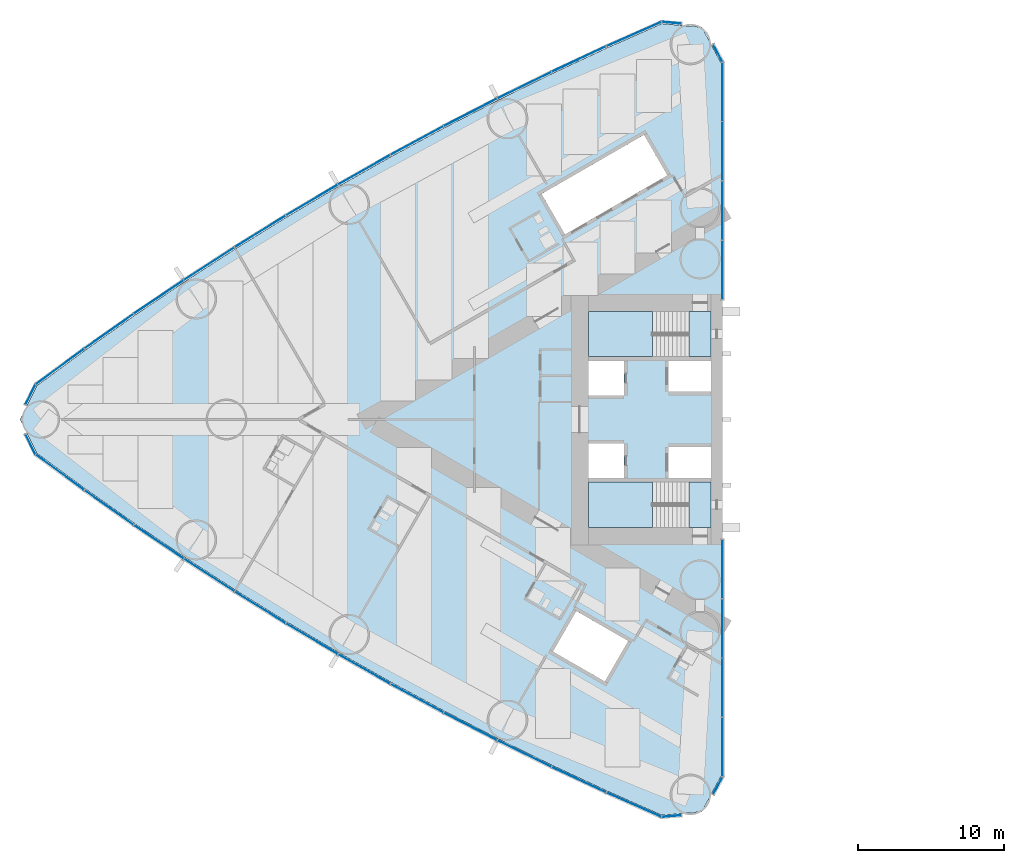
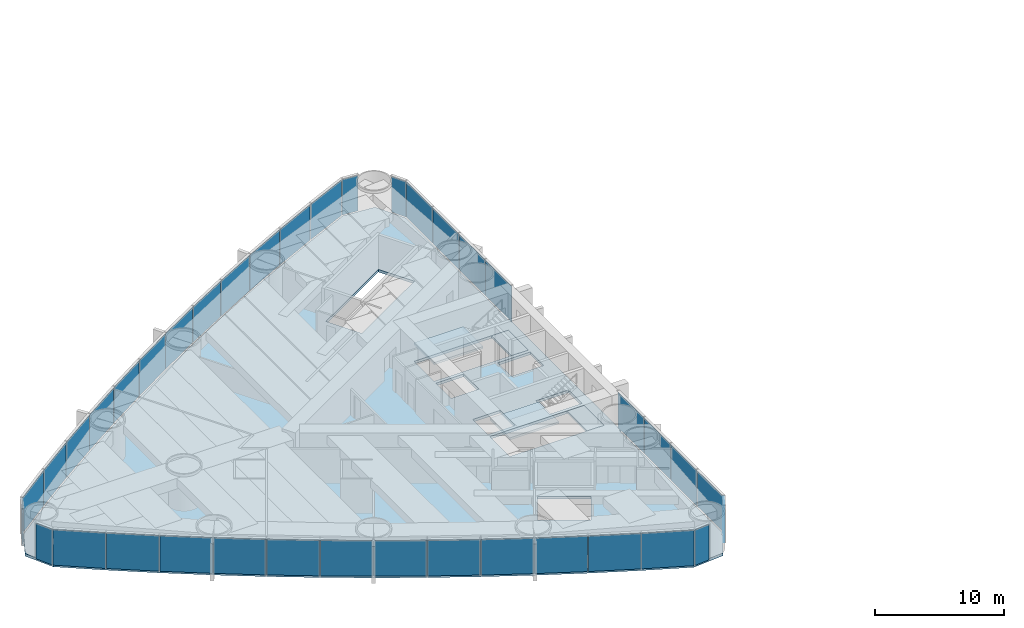
# One storey, part 9 of 19: 38 plates, 5 slabs, 6 elements without a shape of their own.
"""IFC4 building model written with IfcOpenShell, lengths in metres."""

from ifc_helpers import new_model, si_unit, direction, frame, origin, origin_2d, place, context, subcontext, project, spatial, polyline, rectangle, outline, extrude, material, layer, layer_set, type_object, element, aggregate, save


model = new_model("IFC4")

# Units and contexts
model_context = context("Model", 3, precision=1e-05, world=origin(), true_north=direction((0.0, 1.0)))
body_context = subcontext(model_context, "Body", "Model", "MODEL_VIEW")
ifc_project = project(units=[si_unit("LENGTHUNIT", "METRE"), si_unit("AREAUNIT", "SQUARE_METRE"), si_unit("VOLUMEUNIT", "CUBIC_METRE"), si_unit("PLANEANGLEUNIT", "RADIAN"), si_unit("MASSUNIT", "GRAM", prefix="KILO")], contexts=[model_context])

# Site, building, storey
site_placement = place(None, origin())
site = spatial("IfcSite", under=ifc_project, at=site_placement, CompositionType="ELEMENT")
building_placement = place(site_placement, origin())
building = spatial("IfcBuilding", under=site, at=building_placement, Name="Lancet Gate Hotel", CompositionType="ELEMENT")
storey_placement = place(building_placement, frame((0.0, 0.0, 70.5)))
storey = spatial("IfcBuildingStorey", under=building, at=storey_placement, Name="L18", CompositionType="ELEMENT", Elevation=70.5)

# Slab
ifc_material_1 = material(Name="Concrete C50/60", Category="concrete")
ifc_layer_1 = layer(ifc_material_1, 0.25)
ifc_layer_set_1 = layer_set([ifc_layer_1], Name="Floor slab 250")
slab_type_1 = type_object("IfcSlabType", Name="Floor slab 250", PredefinedType="FLOOR", material=ifc_layer_set_1)
slab_1_placement = place(storey_placement, frame((0.0, 0.0, -0.25)))
element("IfcSlab", 1, at=slab_1_placement, inside=storey, type_object=slab_type_1, Name="T1 L18 floor slab", PredefinedType="FLOOR", context=body_context, shape_type="SweptSolid", body=[
    extrude(outline(polyline([(-27.5, 8.60009765625), (-27.6201171875, 8.60009765625), (-27.6201171875, 24.4609375), (-28.926513671875, 26.8837890625), (-31.668212890625, 27.12353515625), (-35.424072265625, 25.458740234375), (-39.173583984375, 23.70849609375), (-42.887939453125, 21.884765625), (-46.56591796875, 19.98876953125), (-50.2060546875, 18.02099609375), (-53.806884765625, 15.982421875), (-57.366943359375, 13.87353515625), (-60.88525390625, 11.695068359375), (-64.360107421875, 9.448486328125), (-67.7900390625, 7.134033203125), (-71.17431640625, 4.752685546875), (-74.488525390625, 2.322021484375), (-75.65087890625, 0.0), (-74.488525390625, -2.322021484375), (-71.17431640625, -4.752685546875), (-67.7900390625, -7.134033203125), (-64.360107421875, -9.448486328125), (-60.88525390625, -11.695068359375), (-57.366943359375, -13.87353515625), (-53.806884765625, -15.982421875), (-50.2060546875, -18.02099609375), (-46.56591796875, -19.98876953125), (-42.887939453125, -21.884765625), (-39.173583984375, -23.70849609375), (-35.424072265625, -25.458740234375), (-31.668212890625, -27.12353515625), (-28.926513671875, -26.8837890625), (-27.6201171875, -24.4609375), (-27.6201171875, -8.60009765625), (-27.5, -8.60009765625), (-27.5, -8.199951171875), (-27.5, 8.199951171875), (-27.5, 8.60009765625)]), holes=[polyline([(-36.699951171875, 7.39990234375), (-36.699951171875, 4.300048828125), (-28.300048828125, 4.300048828125), (-28.300048828125, 7.39990234375), (-36.699951171875, 7.39990234375)]), polyline([(-28.300048828125, 4.0), (-31.199951171875, 4.0), (-31.199951171875, 1.89990234375), (-28.300048828125, 1.89990234375), (-28.300048828125, 4.0)]), polyline([(-34.25, 4.0), (-36.699951171875, 4.0), (-36.699951171875, 1.64990234375), (-34.25, 1.64990234375), (-34.25, 4.0)]), polyline([(-36.699951171875, -1.64990234375), (-36.699951171875, -4.0), (-34.25, -4.0), (-34.25, -1.64990234375), (-36.699951171875, -1.64990234375)]), polyline([(-28.300048828125, -1.89990234375), (-31.199951171875, -1.89990234375), (-31.199951171875, -4.0), (-28.300048828125, -4.0), (-28.300048828125, -1.89990234375)]), polyline([(-28.300048828125, -4.300048828125), (-36.699951171875, -4.300048828125), (-36.699951171875, -7.39990234375), (-28.300048828125, -7.39990234375), (-28.300048828125, -4.300048828125)]), polyline([(-31.2900390625, 16.73095703125), (-32.889892578125, 19.501953125), (-39.904052734375, 15.451904296875), (-38.303955078125, 12.680908203125), (-31.2900390625, 16.73095703125)]), polyline([(-33.97412109375, -15.180908203125), (-37.52490234375, -13.131103515625), (-39.125, -15.902099609375), (-35.573974609375, -17.951904296875), (-33.97412109375, -15.180908203125)])]), origin(), (0.0, 0.0, 1.0), 0.25),
])

# Stair, slabs
ifc_material_2 = material(Name="Exit stair 20 risers 1500")
stair_type = type_object("IfcStairType", Name="Exit stair 20 risers 1500", PredefinedType="HALF_TURN_STAIR", material=ifc_material_2)
stair_1_placement = place(storey_placement, origin())
stair_1 = element("IfcStair", 2, at=stair_1_placement, inside=storey, type_object=stair_type, Name="T1 stair 1 L18", PredefinedType="HALF_TURN_STAIR")
ifc_material_3 = material(Name="Concrete C40/50", Category="concrete")
ifc_layer_2 = layer(ifc_material_3, 0.199951171875)
ifc_layer_set_2 = layer_set([ifc_layer_2], Name="Stair landing 200")
slab_type_2 = type_object("IfcSlabType", Name="Stair landing 200", PredefinedType="LANDING", material=ifc_layer_set_2)
slab_2_placement = place(storey_placement, frame((0.0, 0.0, -0.199951171875)))
slab_2 = element("IfcSlab", 3, at=slab_2_placement, type_object=slab_type_2, Name="ST1 landing 1", PredefinedType="LANDING", context=body_context, shape_type="SweptSolid", body=[
    extrude(outline(polyline([(-28.300048828125, 7.39990234375), (-29.800048828125, 7.39990234375), (-29.800048828125, 4.300048828125), (-28.300048828125, 4.300048828125), (-28.300048828125, 7.39990234375)])), origin(), (0.0, 0.0, 1.0), 0.199951171875),
])
slab_3_placement = place(storey_placement, frame((0.0, 0.0, 1.550048828125)))
slab_3 = element("IfcSlab", 4, at=slab_3_placement, type_object=slab_type_2, Name="ST1 landing 2", PredefinedType="LANDING", context=body_context, shape_type="SweptSolid", body=[
    extrude(outline(polyline([(-32.320068359375, 7.39990234375), (-36.699951171875, 7.39990234375), (-36.699951171875, 4.300048828125), (-32.320068359375, 4.300048828125), (-32.320068359375, 7.39990234375)])), origin(), (0.0, 0.0, 1.0), 0.199951171875),
])
aggregate(stair_1, [slab_2, slab_3])

stair_2_placement = place(storey_placement, origin())
stair_2 = element("IfcStair", 5, at=stair_2_placement, inside=storey, type_object=stair_type, Name="T1 stair 2 L18", PredefinedType="HALF_TURN_STAIR")
slab_4_placement = place(storey_placement, frame((0.0, 0.0, -0.199951171875)))
slab_4 = element("IfcSlab", 6, at=slab_4_placement, type_object=slab_type_2, Name="ST2 landing 1", PredefinedType="LANDING", context=body_context, shape_type="SweptSolid", body=[
    extrude(outline(polyline([(-28.300048828125, -4.300048828125), (-29.800048828125, -4.300048828125), (-29.800048828125, -7.39990234375), (-28.300048828125, -7.39990234375), (-28.300048828125, -4.300048828125)])), origin(), (0.0, 0.0, 1.0), 0.199951171875),
])
slab_5_placement = place(storey_placement, frame((0.0, 0.0, 1.550048828125)))
slab_5 = element("IfcSlab", 7, at=slab_5_placement, type_object=slab_type_2, Name="ST2 landing 2", PredefinedType="LANDING", context=body_context, shape_type="SweptSolid", body=[
    extrude(outline(polyline([(-32.320068359375, -4.300048828125), (-36.699951171875, -4.300048828125), (-36.699951171875, -7.39990234375), (-32.320068359375, -7.39990234375), (-32.320068359375, -4.300048828125)])), origin(), (0.0, 0.0, 1.0), 0.199951171875),
])
aggregate(stair_2, [slab_4, slab_5])

# Curtain wall, plates
ifc_material_4 = material(Name="Aluminium curtain wall", Category="aluminium")
curtain_wall_type = type_object("IfcCurtainWallType", Name="Tower unitised curtain wall", PredefinedType="USERDEFINED", material=ifc_material_4)
curtain_wall_1_placement = place(storey_placement, origin())
curtain_wall_1 = element("IfcCurtainWall", 8, at=curtain_wall_1_placement, inside=storey, type_object=curtain_wall_type, Name="T1 L18 curtain wall 1", ObjectType="UNITISED CURTAIN WALL", PredefinedType="USERDEFINED")
ifc_material_5 = material(Name="Glass double glazed unit 8-16-6", Category="glass")
ifc_layer_3 = layer(ifc_material_5, 0.030029296875)
ifc_layer_set_3 = layer_set([ifc_layer_3], Name="Vision panel double glazed")
plate_type = type_object("IfcPlateType", Name="Vision panel double glazed", PredefinedType="CURTAIN_PANEL", material=ifc_layer_set_3)
plate_1_placement = place(storey_placement, frame((-27.5, 10.236328125, 0.0), z_axis=(0.0, 0.0, 1.0), x_axis=(0.0, 1.0, 0.0)))
plate_1 = element("IfcPlate", 9, at=plate_1_placement, type_object=plate_type, Name="T1 L18 curtain wall 1 panel 1", PredefinedType="CURTAIN_PANEL", context=body_context, shape_type="SweptSolid", body=[
    extrude(rectangle(XDim=4.0078125, YDim=0.030029296875, at=origin_2d()), origin(), (0.0, 0.0, 1.0), 3.35009765625),
])
plate_2_placement = place(storey_placement, frame((-27.5, 14.30908203125, 0.0), z_axis=(0.0, 0.0, 1.0), x_axis=(0.0, 1.0, 0.0)))
plate_2 = element("IfcPlate", 10, at=plate_2_placement, type_object=plate_type, Name="T1 L18 curtain wall 1 panel 2", PredefinedType="CURTAIN_PANEL", context=body_context, shape_type="SweptSolid", body=[
    extrude(rectangle(XDim=4.0078125, YDim=0.030029296875, at=origin_2d()), origin(), (0.0, 0.0, 1.0), 3.35009765625),
])
plate_3_placement = place(storey_placement, frame((-27.5, 18.382080078125, 0.0), z_axis=(0.0, 0.0, 1.0), x_axis=(0.0, 1.0, 0.0)))
plate_3 = element("IfcPlate", 11, at=plate_3_placement, type_object=plate_type, Name="T1 L18 curtain wall 1 panel 3", PredefinedType="CURTAIN_PANEL", context=body_context, shape_type="SweptSolid", body=[
    extrude(rectangle(XDim=4.0078125, YDim=0.030029296875, at=origin_2d()), origin(), (0.0, 0.0, 1.0), 3.35009765625),
])
plate_4_placement = place(storey_placement, frame((-27.5, 22.454833984375, 0.0), z_axis=(0.0, 0.0, 1.0), x_axis=(0.0, 1.0, 0.0)))
plate_4 = element("IfcPlate", 12, at=plate_4_placement, type_object=plate_type, Name="T1 L18 curtain wall 1 panel 4", PredefinedType="CURTAIN_PANEL", context=body_context, shape_type="SweptSolid", body=[
    extrude(rectangle(XDim=4.0078125, YDim=0.030029296875, at=origin_2d()), origin(), (0.0, 0.0, 1.0), 3.35009765625),
])
plate_5_placement = place(storey_placement, frame((-27.829345703125, 25.10205078125, 0.0), z_axis=(0.0, 0.0, 1.0), x_axis=(-0.474631040972, 0.880184852714, 0.0)))
plate_5 = element("IfcPlate", 13, at=plate_5_placement, type_object=plate_type, Name="T1 L18 curtain wall 1 panel 5", PredefinedType="CURTAIN_PANEL", context=body_context, shape_type="SweptSolid", body=[
    extrude(rectangle(XDim=1.322998046875, YDim=0.030029296875, at=origin_2d()), origin(), (0.0, 0.0, 1.0), 3.35009765625),
])
aggregate(curtain_wall_1, [plate_1, plate_2, plate_3, plate_4, plate_5])

curtain_wall_2_placement = place(storey_placement, origin())
curtain_wall_2 = element("IfcCurtainWall", 14, at=curtain_wall_2_placement, inside=storey, type_object=curtain_wall_type, Name="T1 L18 curtain wall 2", ObjectType="UNITISED CURTAIN WALL", PredefinedType="USERDEFINED")
plate_6_placement = place(storey_placement, frame((-30.99658203125, 27.185302734375, 0.0), z_axis=(0.0, 0.0, 1.0), x_axis=(-0.99620380374, 0.087051602022, 0.0)))
plate_6 = element("IfcPlate", 15, at=plate_6_placement, type_object=plate_type, Name="T1 L18 curtain wall 2 panel 1", PredefinedType="CURTAIN_PANEL", context=body_context, shape_type="SweptSolid", body=[
    extrude(rectangle(XDim=1.32421875, YDim=0.030029296875, at=origin_2d()), origin(), (0.0, 0.0, 1.0), 3.35009765625),
])
plate_7_placement = place(storey_placement, frame((-33.581298828125, 26.406982421875, 0.0), z_axis=(0.0, 0.0, 1.0), x_axis=(-0.914234183208, -0.405186201954, 0.0)))
plate_7 = element("IfcPlate", 16, at=plate_7_placement, type_object=plate_type, Name="T1 L18 curtain wall 2 panel 2", PredefinedType="CURTAIN_PANEL", context=body_context, shape_type="SweptSolid", body=[
    extrude(rectangle(XDim=4.0751953125, YDim=0.030029296875, at=origin_2d()), origin(), (0.0, 0.0, 1.0), 3.35009765625),
])
plate_8_placement = place(storey_placement, frame((-37.349609375, 24.6923828125, 0.0), z_axis=(0.0, 0.0, 1.0), x_axis=(-0.906117767284, -0.423025521467, 0.0)))
plate_8 = element("IfcPlate", 17, at=plate_8_placement, type_object=plate_type, Name="T1 L18 curtain wall 2 panel 3", PredefinedType="CURTAIN_PANEL", context=body_context, shape_type="SweptSolid", body=[
    extrude(rectangle(XDim=4.0751953125, YDim=0.030029296875, at=origin_2d()), origin(), (0.0, 0.0, 1.0), 3.35009765625),
])
plate_9_placement = place(storey_placement, frame((-41.083740234375, 22.904296875, 0.0), z_axis=(0.0, 0.0, 1.0), x_axis=(-0.897653295642, -0.440702349463, 0.0)))
plate_9 = element("IfcPlate", 18, at=plate_9_placement, type_object=plate_type, Name="T1 L18 curtain wall 2 panel 4", PredefinedType="CURTAIN_PANEL", context=body_context, shape_type="SweptSolid", body=[
    extrude(rectangle(XDim=4.0751953125, YDim=0.030029296875, at=origin_2d()), origin(), (0.0, 0.0, 1.0), 3.35009765625),
])
plate_10_placement = place(storey_placement, frame((-44.781982421875, 21.04345703125, 0.0), z_axis=(0.0, 0.0, 1.0), x_axis=(-0.888844019644, -0.458209895946, 0.0)))
plate_10 = element("IfcPlate", 19, at=plate_10_placement, type_object=plate_type, Name="T1 L18 curtain wall 2 panel 5", PredefinedType="CURTAIN_PANEL", context=body_context, shape_type="SweptSolid", body=[
    extrude(rectangle(XDim=4.0751953125, YDim=0.030029296875, at=origin_2d()), origin(), (0.0, 0.0, 1.0), 3.35009765625),
])
plate_11_placement = place(storey_placement, frame((-48.443115234375, 19.110595703125, 0.0), z_axis=(0.0, 0.0, 1.0), x_axis=(-0.87969332307, -0.475541435993, 0.0)))
plate_11 = element("IfcPlate", 20, at=plate_11_placement, type_object=plate_type, Name="T1 L18 curtain wall 2 panel 6", PredefinedType="CURTAIN_PANEL", context=body_context, shape_type="SweptSolid", body=[
    extrude(rectangle(XDim=4.0751953125, YDim=0.030029296875, at=origin_2d()), origin(), (0.0, 0.0, 1.0), 3.35009765625),
])
plate_12_placement = place(storey_placement, frame((-52.065673828125, 17.106201171875, 0.0), z_axis=(0.0, 0.0, 1.0), x_axis=(-0.870204720871, -0.492690312238, 0.0)))
plate_12 = element("IfcPlate", 21, at=plate_12_placement, type_object=plate_type, Name="T1 L18 curtain wall 2 panel 7", PredefinedType="CURTAIN_PANEL", context=body_context, shape_type="SweptSolid", body=[
    extrude(rectangle(XDim=4.0751953125, YDim=0.030029296875, at=origin_2d()), origin(), (0.0, 0.0, 1.0), 3.35009765625),
])
plate_13_placement = place(storey_placement, frame((-55.648193359375, 15.031005859375, 0.0), z_axis=(0.0, 0.0, 1.0), x_axis=(-0.860381857795, -0.509649937484, 0.0)))
plate_13 = element("IfcPlate", 22, at=plate_13_placement, type_object=plate_type, Name="T1 L18 curtain wall 2 panel 8", PredefinedType="CURTAIN_PANEL", context=body_context, shape_type="SweptSolid", body=[
    extrude(rectangle(XDim=4.0751953125, YDim=0.030029296875, at=origin_2d()), origin(), (0.0, 0.0, 1.0), 3.35009765625),
])
plate_14_placement = place(storey_placement, frame((-59.189208984375, 12.88623046875, 0.0), z_axis=(0.0, 0.0, 1.0), x_axis=(-0.850228506958, -0.52641379727, 0.0)))
plate_14 = element("IfcPlate", 23, at=plate_14_placement, type_object=plate_type, Name="T1 L18 curtain wall 2 panel 9", PredefinedType="CURTAIN_PANEL", context=body_context, shape_type="SweptSolid", body=[
    extrude(rectangle(XDim=4.0751953125, YDim=0.030029296875, at=origin_2d()), origin(), (0.0, 0.0, 1.0), 3.35009765625),
])
plate_15_placement = place(storey_placement, frame((-62.687744140625, 10.672607421875, 0.0), z_axis=(0.0, 0.0, 1.0), x_axis=(-0.839748568448, -0.54297545229, 0.0)))
plate_15 = element("IfcPlate", 24, at=plate_15_placement, type_object=plate_type, Name="T1 L18 curtain wall 2 panel 10", PredefinedType="CURTAIN_PANEL", context=body_context, shape_type="SweptSolid", body=[
    extrude(rectangle(XDim=4.0751953125, YDim=0.030029296875, at=origin_2d()), origin(), (0.0, 0.0, 1.0), 3.35009765625),
])
plate_16_placement = place(storey_placement, frame((-66.142333984375, 8.390625, 0.0), z_axis=(0.0, 0.0, 1.0), x_axis=(-0.828946067803, -0.559328540907, 0.0)))
plate_16 = element("IfcPlate", 25, at=plate_16_placement, type_object=plate_type, Name="T1 L18 curtain wall 2 panel 11", PredefinedType="CURTAIN_PANEL", context=body_context, shape_type="SweptSolid", body=[
    extrude(rectangle(XDim=4.0751953125, YDim=0.030029296875, at=origin_2d()), origin(), (0.0, 0.0, 1.0), 3.35009765625),
])
plate_17_placement = place(storey_placement, frame((-69.55126953125, 6.04150390625, 0.0), z_axis=(0.0, 0.0, 1.0), x_axis=(-0.817825154435, -0.575466781642, 0.0)))
plate_17 = element("IfcPlate", 26, at=plate_17_placement, type_object=plate_type, Name="T1 L18 curtain wall 2 panel 12", PredefinedType="CURTAIN_PANEL", context=body_context, shape_type="SweptSolid", body=[
    extrude(rectangle(XDim=4.0751953125, YDim=0.030029296875, at=origin_2d()), origin(), (0.0, 0.0, 1.0), 3.35009765625),
])
plate_18_placement = place(storey_placement, frame((-72.91357421875, 3.6259765625, 0.0), z_axis=(0.0, 0.0, 1.0), x_axis=(-0.80639010009, -0.591383975499, 0.0)))
plate_18 = element("IfcPlate", 27, at=plate_18_placement, type_object=plate_type, Name="T1 L18 curtain wall 2 panel 13", PredefinedType="CURTAIN_PANEL", context=body_context, shape_type="SweptSolid", body=[
    extrude(rectangle(XDim=4.0751953125, YDim=0.030029296875, at=origin_2d()), origin(), (0.0, 0.0, 1.0), 3.35009765625),
])
plate_19_placement = place(storey_placement, frame((-74.93505859375, 1.6982421875, 0.0), z_axis=(0.0, 0.0, 1.0), x_axis=(-0.447628324726, -0.89421970617, 0.0)))
plate_19 = element("IfcPlate", 28, at=plate_19_placement, type_object=plate_type, Name="T1 L18 curtain wall 2 panel 14", PredefinedType="CURTAIN_PANEL", context=body_context, shape_type="SweptSolid", body=[
    extrude(rectangle(XDim=1.50830078125, YDim=0.030029296875, at=origin_2d()), origin(), (0.0, 0.0, 1.0), 3.35009765625),
])
aggregate(curtain_wall_2, [plate_6, plate_7, plate_8, plate_9, plate_10, plate_11, plate_12, plate_13, plate_14, plate_15, plate_16, plate_17, plate_18, plate_19])

curtain_wall_3_placement = place(storey_placement, origin())
curtain_wall_3 = element("IfcCurtainWall", 29, at=curtain_wall_3_placement, inside=storey, type_object=curtain_wall_type, Name="T1 L18 curtain wall 3", ObjectType="UNITISED CURTAIN WALL", PredefinedType="USERDEFINED")
plate_20_placement = place(storey_placement, frame((-74.93505859375, -1.6982421875, 0.0), z_axis=(0.0, 0.0, 1.0), x_axis=(0.447628324726, -0.89421970617, 0.0)))
plate_20 = element("IfcPlate", 30, at=plate_20_placement, type_object=plate_type, Name="T1 L18 curtain wall 3 panel 1", PredefinedType="CURTAIN_PANEL", context=body_context, shape_type="SweptSolid", body=[
    extrude(rectangle(XDim=1.50830078125, YDim=0.030029296875, at=origin_2d()), origin(), (0.0, 0.0, 1.0), 3.35009765625),
])
plate_21_placement = place(storey_placement, frame((-72.91357421875, -3.6259765625, 0.0), z_axis=(0.0, 0.0, 1.0), x_axis=(0.80639010009, -0.591383975499, 0.0)))
plate_21 = element("IfcPlate", 31, at=plate_21_placement, type_object=plate_type, Name="T1 L18 curtain wall 3 panel 2", PredefinedType="CURTAIN_PANEL", context=body_context, shape_type="SweptSolid", body=[
    extrude(rectangle(XDim=4.0751953125, YDim=0.030029296875, at=origin_2d()), origin(), (0.0, 0.0, 1.0), 3.35009765625),
])
plate_22_placement = place(storey_placement, frame((-69.55126953125, -6.04150390625, 0.0), z_axis=(0.0, 0.0, 1.0), x_axis=(0.817825154435, -0.575466781642, 0.0)))
plate_22 = element("IfcPlate", 32, at=plate_22_placement, type_object=plate_type, Name="T1 L18 curtain wall 3 panel 3", PredefinedType="CURTAIN_PANEL", context=body_context, shape_type="SweptSolid", body=[
    extrude(rectangle(XDim=4.0751953125, YDim=0.030029296875, at=origin_2d()), origin(), (0.0, 0.0, 1.0), 3.35009765625),
])
plate_23_placement = place(storey_placement, frame((-66.142333984375, -8.390625, 0.0), z_axis=(0.0, 0.0, 1.0), x_axis=(0.828946067803, -0.559328540907, 0.0)))
plate_23 = element("IfcPlate", 33, at=plate_23_placement, type_object=plate_type, Name="T1 L18 curtain wall 3 panel 4", PredefinedType="CURTAIN_PANEL", context=body_context, shape_type="SweptSolid", body=[
    extrude(rectangle(XDim=4.0751953125, YDim=0.030029296875, at=origin_2d()), origin(), (0.0, 0.0, 1.0), 3.35009765625),
])
plate_24_placement = place(storey_placement, frame((-62.687744140625, -10.672607421875, 0.0), z_axis=(0.0, 0.0, 1.0), x_axis=(0.839748568448, -0.54297545229, 0.0)))
plate_24 = element("IfcPlate", 34, at=plate_24_placement, type_object=plate_type, Name="T1 L18 curtain wall 3 panel 5", PredefinedType="CURTAIN_PANEL", context=body_context, shape_type="SweptSolid", body=[
    extrude(rectangle(XDim=4.0751953125, YDim=0.030029296875, at=origin_2d()), origin(), (0.0, 0.0, 1.0), 3.35009765625),
])
plate_25_placement = place(storey_placement, frame((-59.189208984375, -12.88623046875, 0.0), z_axis=(0.0, 0.0, 1.0), x_axis=(0.850228506958, -0.52641379727, 0.0)))
plate_25 = element("IfcPlate", 35, at=plate_25_placement, type_object=plate_type, Name="T1 L18 curtain wall 3 panel 6", PredefinedType="CURTAIN_PANEL", context=body_context, shape_type="SweptSolid", body=[
    extrude(rectangle(XDim=4.0751953125, YDim=0.030029296875, at=origin_2d()), origin(), (0.0, 0.0, 1.0), 3.35009765625),
])
plate_26_placement = place(storey_placement, frame((-55.648193359375, -15.031005859375, 0.0), z_axis=(0.0, 0.0, 1.0), x_axis=(0.860381857795, -0.509649937484, 0.0)))
plate_26 = element("IfcPlate", 36, at=plate_26_placement, type_object=plate_type, Name="T1 L18 curtain wall 3 panel 7", PredefinedType="CURTAIN_PANEL", context=body_context, shape_type="SweptSolid", body=[
    extrude(rectangle(XDim=4.0751953125, YDim=0.030029296875, at=origin_2d()), origin(), (0.0, 0.0, 1.0), 3.35009765625),
])
plate_27_placement = place(storey_placement, frame((-52.065673828125, -17.106201171875, 0.0), z_axis=(0.0, 0.0, 1.0), x_axis=(0.870204720871, -0.492690312238, 0.0)))
plate_27 = element("IfcPlate", 37, at=plate_27_placement, type_object=plate_type, Name="T1 L18 curtain wall 3 panel 8", PredefinedType="CURTAIN_PANEL", context=body_context, shape_type="SweptSolid", body=[
    extrude(rectangle(XDim=4.0751953125, YDim=0.030029296875, at=origin_2d()), origin(), (0.0, 0.0, 1.0), 3.35009765625),
])
plate_28_placement = place(storey_placement, frame((-48.443115234375, -19.110595703125, 0.0), z_axis=(0.0, 0.0, 1.0), x_axis=(0.87969332307, -0.475541435993, 0.0)))
plate_28 = element("IfcPlate", 38, at=plate_28_placement, type_object=plate_type, Name="T1 L18 curtain wall 3 panel 9", PredefinedType="CURTAIN_PANEL", context=body_context, shape_type="SweptSolid", body=[
    extrude(rectangle(XDim=4.0751953125, YDim=0.030029296875, at=origin_2d()), origin(), (0.0, 0.0, 1.0), 3.35009765625),
])
plate_29_placement = place(storey_placement, frame((-44.781982421875, -21.04345703125, 0.0), z_axis=(0.0, 0.0, 1.0), x_axis=(0.888844019644, -0.458209895946, 0.0)))
plate_29 = element("IfcPlate", 39, at=plate_29_placement, type_object=plate_type, Name="T1 L18 curtain wall 3 panel 10", PredefinedType="CURTAIN_PANEL", context=body_context, shape_type="SweptSolid", body=[
    extrude(rectangle(XDim=4.0751953125, YDim=0.030029296875, at=origin_2d()), origin(), (0.0, 0.0, 1.0), 3.35009765625),
])
plate_30_placement = place(storey_placement, frame((-41.083740234375, -22.904296875, 0.0), z_axis=(0.0, 0.0, 1.0), x_axis=(0.897653295642, -0.440702349463, 0.0)))
plate_30 = element("IfcPlate", 40, at=plate_30_placement, type_object=plate_type, Name="T1 L18 curtain wall 3 panel 11", PredefinedType="CURTAIN_PANEL", context=body_context, shape_type="SweptSolid", body=[
    extrude(rectangle(XDim=4.0751953125, YDim=0.030029296875, at=origin_2d()), origin(), (0.0, 0.0, 1.0), 3.35009765625),
])
plate_31_placement = place(storey_placement, frame((-37.349609375, -24.6923828125, 0.0), z_axis=(0.0, 0.0, 1.0), x_axis=(0.906117767284, -0.423025521467, 0.0)))
plate_31 = element("IfcPlate", 41, at=plate_31_placement, type_object=plate_type, Name="T1 L18 curtain wall 3 panel 12", PredefinedType="CURTAIN_PANEL", context=body_context, shape_type="SweptSolid", body=[
    extrude(rectangle(XDim=4.0751953125, YDim=0.030029296875, at=origin_2d()), origin(), (0.0, 0.0, 1.0), 3.35009765625),
])
plate_32_placement = place(storey_placement, frame((-33.581298828125, -26.406982421875, 0.0), z_axis=(0.0, 0.0, 1.0), x_axis=(0.914234183208, -0.405186201954, 0.0)))
plate_32 = element("IfcPlate", 42, at=plate_32_placement, type_object=plate_type, Name="T1 L18 curtain wall 3 panel 13", PredefinedType="CURTAIN_PANEL", context=body_context, shape_type="SweptSolid", body=[
    extrude(rectangle(XDim=4.0751953125, YDim=0.030029296875, at=origin_2d()), origin(), (0.0, 0.0, 1.0), 3.35009765625),
])
plate_33_placement = place(storey_placement, frame((-30.99658203125, -27.185302734375, 0.0), z_axis=(0.0, 0.0, 1.0), x_axis=(0.99620380374, 0.087051602022, 0.0)))
plate_33 = element("IfcPlate", 43, at=plate_33_placement, type_object=plate_type, Name="T1 L18 curtain wall 3 panel 14", PredefinedType="CURTAIN_PANEL", context=body_context, shape_type="SweptSolid", body=[
    extrude(rectangle(XDim=1.32421875, YDim=0.030029296875, at=origin_2d()), origin(), (0.0, 0.0, 1.0), 3.35009765625),
])
aggregate(curtain_wall_3, [plate_20, plate_21, plate_22, plate_23, plate_24, plate_25, plate_26, plate_27, plate_28, plate_29, plate_30, plate_31, plate_32, plate_33])

curtain_wall_4_placement = place(storey_placement, origin())
curtain_wall_4 = element("IfcCurtainWall", 44, at=curtain_wall_4_placement, inside=storey, type_object=curtain_wall_type, Name="T1 L18 curtain wall 4", ObjectType="UNITISED CURTAIN WALL", PredefinedType="USERDEFINED")
plate_34_placement = place(storey_placement, frame((-27.829345703125, -25.10205078125, 0.0), z_axis=(0.0, 0.0, 1.0), x_axis=(0.474631040972, 0.880184852714, 0.0)))
plate_34 = element("IfcPlate", 45, at=plate_34_placement, type_object=plate_type, Name="T1 L18 curtain wall 4 panel 1", PredefinedType="CURTAIN_PANEL", context=body_context, shape_type="SweptSolid", body=[
    extrude(rectangle(XDim=1.322998046875, YDim=0.030029296875, at=origin_2d()), origin(), (0.0, 0.0, 1.0), 3.35009765625),
])
plate_35_placement = place(storey_placement, frame((-27.5, -22.454833984375, 0.0), z_axis=(0.0, 0.0, 1.0), x_axis=(0.0, 1.0, 0.0)))
plate_35 = element("IfcPlate", 46, at=plate_35_placement, type_object=plate_type, Name="T1 L18 curtain wall 4 panel 2", PredefinedType="CURTAIN_PANEL", context=body_context, shape_type="SweptSolid", body=[
    extrude(rectangle(XDim=4.0078125, YDim=0.030029296875, at=origin_2d()), origin(), (0.0, 0.0, 1.0), 3.35009765625),
])
plate_36_placement = place(storey_placement, frame((-27.5, -18.382080078125, 0.0), z_axis=(0.0, 0.0, 1.0), x_axis=(0.0, 1.0, 0.0)))
plate_36 = element("IfcPlate", 47, at=plate_36_placement, type_object=plate_type, Name="T1 L18 curtain wall 4 panel 3", PredefinedType="CURTAIN_PANEL", context=body_context, shape_type="SweptSolid", body=[
    extrude(rectangle(XDim=4.0078125, YDim=0.030029296875, at=origin_2d()), origin(), (0.0, 0.0, 1.0), 3.35009765625),
])
plate_37_placement = place(storey_placement, frame((-27.5, -14.30908203125, 0.0), z_axis=(0.0, 0.0, 1.0), x_axis=(0.0, 1.0, 0.0)))
plate_37 = element("IfcPlate", 48, at=plate_37_placement, type_object=plate_type, Name="T1 L18 curtain wall 4 panel 4", PredefinedType="CURTAIN_PANEL", context=body_context, shape_type="SweptSolid", body=[
    extrude(rectangle(XDim=4.0078125, YDim=0.030029296875, at=origin_2d()), origin(), (0.0, 0.0, 1.0), 3.35009765625),
])
plate_38_placement = place(storey_placement, frame((-27.5, -10.236328125, 0.0), z_axis=(0.0, 0.0, 1.0), x_axis=(0.0, 1.0, 0.0)))
plate_38 = element("IfcPlate", 49, at=plate_38_placement, type_object=plate_type, Name="T1 L18 curtain wall 4 panel 5", PredefinedType="CURTAIN_PANEL", context=body_context, shape_type="SweptSolid", body=[
    extrude(rectangle(XDim=4.0078125, YDim=0.030029296875, at=origin_2d()), origin(), (0.0, 0.0, 1.0), 3.35009765625),
])
aggregate(curtain_wall_4, [plate_34, plate_35, plate_36, plate_37, plate_38])

save(model, "model.ifc")
